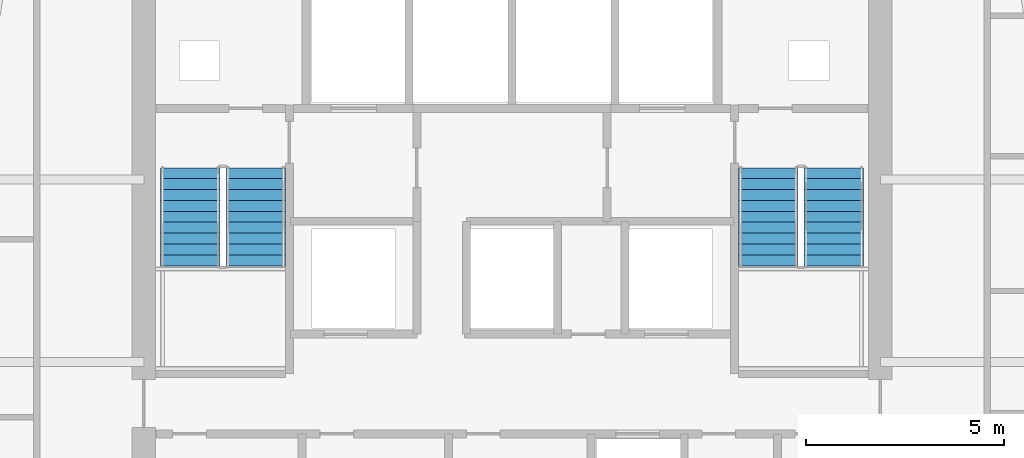
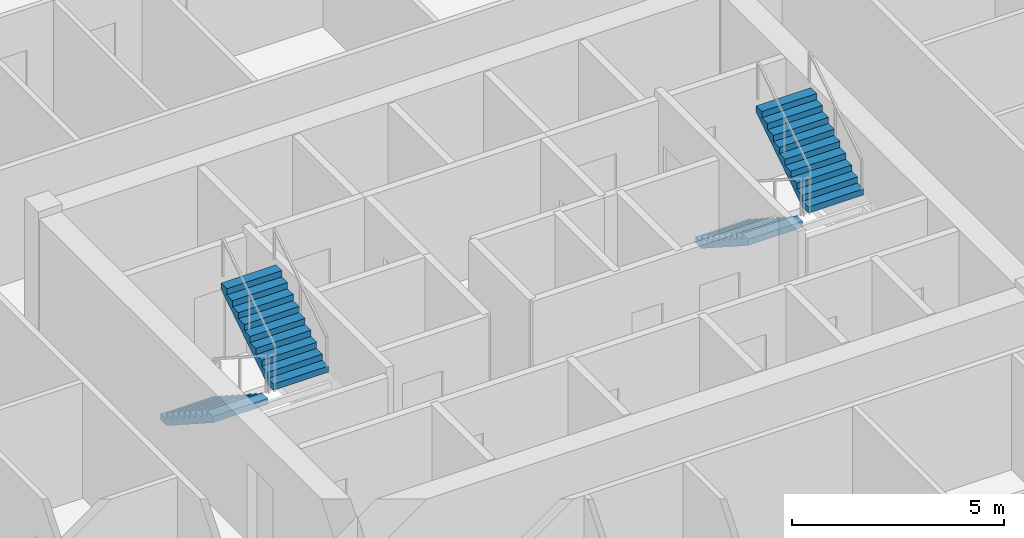
# One storey, part 8 of 10: 4 stair flights, 2 elements without a shape of their own.
"""IFC4 building model written with IfcOpenShell, lengths in metres."""

import ifcopenshell
import ifcopenshell.guid

model = None  # the IFC model being written
_history = None  # IfcOwnerHistory: only IFC2X3 demands one
_inside = {}  # id of a spatial element -> (the spatial element, [elements in it])
_under = {}  # id of a project, library or spatial element -> (it, [spatial elements below it])
_declared = {}  # id of a project -> (the project, [libraries it declares])
_typed = {}  # id of a type object -> (the type object, [elements of that type])
_made_of = {}  # id of a material, layer set ... -> (it, [elements and type objects made of it])


def new_model(schema):
    """Start an empty IFC model of exactly this schema.

    Asked for "IFC4X3", IfcOpenShell would pick the latest addendum, in which some entities
    have other attributes; the version numbers below select the first issue.
    IFC2X3 requires an IfcOwnerHistory on every rooted entity: one is made here for all.
    """
    global model, _history
    if schema == "IFC4X3":
        model = ifcopenshell.file(schema_version=(4, 3, 0, 0))
    else:
        model = ifcopenshell.file(schema=schema)
    _inside.clear()
    _under.clear()
    _declared.clear()
    _typed.clear()
    _made_of.clear()
    _history = None
    if model.schema == "IFC2X3":
        org = make("IfcOrganization", Name="unknown")
        user = make(
            "IfcPersonAndOrganization",
            ThePerson=make("IfcPerson", FamilyName="unknown"),
            TheOrganization=org,
        )
        app = make(
            "IfcApplication",
            ApplicationDeveloper=org,
            Version="unknown",
            ApplicationFullName="unknown",
            ApplicationIdentifier="unknown",
        )
        _history = make(
            "IfcOwnerHistory",
            OwningUser=user,
            OwningApplication=app,
            ChangeAction="ADDED",
            CreationDate=0,
        )
    return model


def make(cls, **values):
    """One entity of the class cls with the attributes given. An attribute that is None is left unset."""
    return model.create_entity(
        cls, **{name: value for name, value in values.items() if value is not None}
    )


def rooted(cls, **values):
    """An entity with a GlobalId (a new one), such as an element, a storey or a relation."""
    return make(cls, GlobalId=ifcopenshell.guid.new(), OwnerHistory=_history, **values)


def si_unit(unit_type, name, prefix=None):
    """IfcSIUnit, for example si_unit("LENGTHUNIT", "METRE", prefix="MILLI")."""
    return make("IfcSIUnit", UnitType=unit_type, Prefix=prefix, Name=name)


def assignment(units):
    """IfcUnitAssignment: the units of a project."""
    return None if units is None else make("IfcUnitAssignment", Units=units)


def point(xyz):
    """IfcCartesianPoint."""
    return None if xyz is None else make("IfcCartesianPoint", Coordinates=xyz)


def direction(xyz):
    """IfcDirection."""
    return None if xyz is None else make("IfcDirection", DirectionRatios=xyz)


def frame(location, z_axis=None, x_axis=None):
    """IfcAxis2Placement3D, a coordinate frame: its origin and axes. An axis left out is left unset."""
    return make(
        "IfcAxis2Placement3D",
        Location=point(location),
        Axis=direction(z_axis),
        RefDirection=direction(x_axis),
    )


def origin():
    """The frame at (0, 0, 0) with its axes left unset."""
    return frame((0.0, 0.0, 0.0))


def place(relative_to, where):
    """IfcLocalPlacement: puts the frame where relative to a parent placement (None: the world)."""
    return make(
        "IfcLocalPlacement", PlacementRelTo=relative_to, RelativePlacement=where
    )


def context(
    kind, dimensions, precision=None, world=None, true_north=None, identifier=None
):
    """IfcGeometricRepresentationContext, for example the 3D "Model" context."""
    return make(
        "IfcGeometricRepresentationContext",
        ContextIdentifier=identifier,
        ContextType=kind,
        CoordinateSpaceDimension=dimensions,
        Precision=precision,
        WorldCoordinateSystem=world,
        TrueNorth=true_north,
    )


def subcontext(parent, identifier, kind, view, scale=None):
    """IfcGeometricRepresentationSubContext, for example "Body" below "Model"."""
    return make(
        "IfcGeometricRepresentationSubContext",
        ContextIdentifier=identifier,
        ContextType=kind,
        ParentContext=parent,
        TargetScale=scale,
        TargetView=view,
    )


def project(units=None, contexts=None):
    """IfcProject with its units and contexts."""
    return rooted(
        "IfcProject",
        Name="project",
        RepresentationContexts=contexts,
        UnitsInContext=assignment(units),
    )


def spatial(cls, under=None, at=None, **own):
    """A site, building, storey or space (cls), placed at a placement, below another one or the project."""
    s = rooted(cls, ObjectPlacement=at, **own)
    if under is not None:
        _under.setdefault(under.id(), (under, []))[1].append(s)
    return s


def polyline(points):
    """IfcPolyline through the points."""
    return make("IfcPolyline", Points=[point(p) for p in points])


def outline(outer, holes=None, kind="AREA"):
    """IfcArbitraryClosedProfileDef: a profile drawn as a closed curve; with holes, ...WithVoids."""
    if holes is None:
        return make("IfcArbitraryClosedProfileDef", ProfileType=kind, OuterCurve=outer)
    return make(
        "IfcArbitraryProfileDefWithVoids",
        ProfileType=kind,
        OuterCurve=outer,
        InnerCurves=holes,
    )


def extrude(swept, where, along, depth):
    """IfcExtrudedAreaSolid: the profile swept, set in the frame where, extruded along a direction by depth."""
    return make(
        "IfcExtrudedAreaSolid",
        SweptArea=swept,
        Position=where,
        ExtrudedDirection=direction(along),
        Depth=depth,
    )


def shape(context_of_items, identifier, shape_type, items):
    """IfcShapeRepresentation: the items that make up one representation, for example the "Body"."""
    return make(
        "IfcShapeRepresentation",
        ContextOfItems=context_of_items,
        RepresentationIdentifier=identifier,
        RepresentationType=shape_type,
        Items=items,
    )


def material(Name=None, Category=None):
    """IfcMaterial."""
    return make("IfcMaterial", Name=Name, Category=Category)


def made_of(thing, what):
    """Note that an element or type object is made of a material, layer set ...; save() writes the relation."""
    if what is not None:
        _made_of.setdefault(what.id(), (what, []))[1].append(thing)
    return thing


def type_object(cls, material=None, **own):
    """A type object (cls), such as IfcWallType, which elements share."""
    return made_of(rooted(cls, **own), material)


def element(
    cls,
    number,
    at=None,
    inside=None,
    cuts=None,
    type_object=None,
    material=None,
    context=None,
    identifier="Body",
    shape_type=None,
    held_by="IfcProductDefinitionShape",
    body=None,
    shapes=None,
    **own,
):
    """One element of the class cls, such as IfcWall. Its Tag is "e" and its number.

    at: its placement. inside: the storey or other place that contains it. cuts: it is an
    opening in that element (IfcRelVoidsElement). A single representation is given by context,
    identifier, shape_type and body (its items); several are given by shapes. held_by: the class
    of the entity that holds the representations. save() writes the other relations.
    """
    e = rooted(cls, Tag="e%d" % number, ObjectPlacement=at, **own)
    if body is not None:
        shapes = [shape(context, identifier, shape_type, body)]
    if shapes is not None:
        e.Representation = make(held_by, Representations=shapes)
    if inside is not None:
        _inside.setdefault(inside.id(), (inside, []))[1].append(e)
    if cuts is not None:
        rooted(
            "IfcRelVoidsElement", RelatingBuildingElement=cuts, RelatedOpeningElement=e
        )
    if type_object is not None:
        _typed.setdefault(type_object.id(), (type_object, []))[1].append(e)
    return made_of(e, material)


def aggregate(whole, parts):
    """IfcRelAggregates: a whole, such as a stair, and the parts it consists of."""
    return rooted("IfcRelAggregates", RelatingObject=whole, RelatedObjects=parts)


def save(model, path):
    """Write the relations noted so far, then the file.

    IfcRelAggregates (storeys below a building ...), IfcRelContainedInSpatialStructure (elements
    in a storey), IfcRelDefinesByType, IfcRelAssociatesMaterial and IfcRelDeclares: one each for
    every whole, place, type object, material and project.
    """
    for whole, parts in _under.values():
        aggregate(whole, parts)
    for where, things in _inside.values():
        rooted(
            "IfcRelContainedInSpatialStructure",
            RelatedElements=things,
            RelatingStructure=where,
        )
    for kind, things in _typed.values():
        rooted("IfcRelDefinesByType", RelatedObjects=things, RelatingType=kind)
    for what, things in _made_of.values():
        rooted("IfcRelAssociatesMaterial", RelatedObjects=things, RelatingMaterial=what)
    for by, libraries in _declared.values():
        rooted("IfcRelDeclares", RelatingContext=by, RelatedDefinitions=libraries)
    model.write(path)


model = new_model("IFC4")

# Units and contexts
model_context = context("Model", 3, precision=1e-05, world=origin(), true_north=direction((0.0, 1.0)))
body_context = subcontext(model_context, "Body", "Model", "MODEL_VIEW")
ifc_project = project(units=[si_unit("LENGTHUNIT", "METRE"), si_unit("AREAUNIT", "SQUARE_METRE"), si_unit("VOLUMEUNIT", "CUBIC_METRE"), si_unit("PLANEANGLEUNIT", "RADIAN"), si_unit("MASSUNIT", "GRAM", prefix="KILO")], contexts=[model_context])

# Site, building, storey
site_placement = place(None, origin())
site = spatial("IfcSite", under=ifc_project, at=site_placement, CompositionType="ELEMENT")
building_placement = place(site_placement, origin())
building = spatial("IfcBuilding", under=site, at=building_placement, Name="Cinnabar Lancet Tower", CompositionType="ELEMENT")
storey_placement = place(building_placement, frame((0.0, 0.0, 164.14990234375)))
storey = spatial("IfcBuildingStorey", under=building, at=storey_placement, Name="L43", CompositionType="ELEMENT", Elevation=164.14990234375)

# Stair, stair flights
ifc_material_1 = material(Name="Concrete C40/50", Category="concrete")
stair_type = type_object("IfcStairType", Name="ST-CORE", PredefinedType="HALF_TURN_STAIR", material=ifc_material_1)
stair_1_placement = place(storey_placement, origin())
stair_1 = element("IfcStair", 1, at=stair_1_placement, inside=storey, type_object=stair_type, Name="L43 ST-1", PredefinedType="HALF_TURN_STAIR")
ifc_material_2 = material(Name="Concrete C40/50", Category="concrete")
stair_flight_type = type_object("IfcStairFlightType", Name="FLIGHT-CORE", PredefinedType="STRAIGHT", material=ifc_material_2)
stair_flight_1_placement = place(storey_placement, frame((24.27490234375, 28.39990234375, 0.0), z_axis=(0.0, 0.0, 1.0), x_axis=(0.0, -1.0, 0.0)))
stair_flight_1 = element("IfcStairFlight", 2, at=stair_flight_1_placement, type_object=stair_flight_type, Name="ST-1 flight 1", NumberOfRisers=10, NumberOfTreads=9, PredefinedType="STRAIGHT", RiserHeight=0.1775, TreadLength=0.275, context=body_context, shape_type="SweptSolid", body=[
    extrude(outline(polyline([(0.0, 0.0), (0.0, 0.177490234375), (0.27490234375, 0.177490234375), (0.27490234375, 0.35498046875), (0.550048828125, 0.35498046875), (0.550048828125, 0.532470703125), (0.824951171875, 0.532470703125), (0.824951171875, 0.7099609375), (1.10009765625, 0.7099609375), (1.10009765625, 0.887451171875), (1.375, 0.887451171875), (1.375, 1.06494140625), (1.64990234375, 1.06494140625), (1.64990234375, 1.242431640625), (1.925048828125, 1.242431640625), (1.925048828125, 1.419921875), (2.199951171875, 1.419921875), (2.199951171875, 1.597412109375), (2.47509765625, 1.597412109375), (2.47509765625, 1.77490234375), (2.47509765625, 1.419189453125), (0.2763671875, 0.0), (0.0, 0.0)])), frame((0.0, 0.75, 0.0), z_axis=(0.0, -1.0, 0.0), x_axis=(1.0, 0.0, 0.0)), (0.0, 0.0, 1.0), 1.5),
])
stair_flight_2_placement = place(storey_placement, frame((25.925048828125, 25.925048828125, 1.775146484375), z_axis=(0.0, 0.0, 1.0), x_axis=(0.0, 1.0, 0.0)))
stair_flight_2 = element("IfcStairFlight", 3, at=stair_flight_2_placement, type_object=stair_flight_type, Name="ST-1 flight 2", NumberOfRisers=10, NumberOfTreads=9, PredefinedType="STRAIGHT", RiserHeight=0.1775, TreadLength=0.275, context=body_context, shape_type="SweptSolid", body=[
    extrude(outline(polyline([(0.0, 0.0), (0.0, 0.177490234375), (0.27490234375, 0.177490234375), (0.27490234375, 0.35498046875), (0.550048828125, 0.35498046875), (0.550048828125, 0.532470703125), (0.824951171875, 0.532470703125), (0.824951171875, 0.7099609375), (1.10009765625, 0.7099609375), (1.10009765625, 0.887451171875), (1.375, 0.887451171875), (1.375, 1.06494140625), (1.64990234375, 1.06494140625), (1.64990234375, 1.242431640625), (1.925048828125, 1.242431640625), (1.925048828125, 1.419921875), (2.199951171875, 1.419921875), (2.199951171875, 1.597412109375), (2.47509765625, 1.597412109375), (2.47509765625, 1.77490234375), (2.47509765625, 1.419189453125), (0.2763671875, 0.0), (0.0, 0.0)])), frame((0.0, 0.75, 0.0), z_axis=(0.0, -1.0, 0.0), x_axis=(1.0, 0.0, 0.0)), (0.0, 0.0, 1.0), 1.5),
])
aggregate(stair_1, [stair_flight_1, stair_flight_2])

stair_2_placement = place(storey_placement, origin())
stair_2 = element("IfcStair", 4, at=stair_2_placement, inside=storey, type_object=stair_type, Name="L43 ST-2", PredefinedType="HALF_TURN_STAIR")
stair_flight_3_placement = place(storey_placement, frame((38.875, 28.39990234375, 0.0), z_axis=(0.0, 0.0, 1.0), x_axis=(0.0, -1.0, 0.0)))
stair_flight_3 = element("IfcStairFlight", 5, at=stair_flight_3_placement, type_object=stair_flight_type, Name="ST-2 flight 1", NumberOfRisers=10, NumberOfTreads=9, PredefinedType="STRAIGHT", RiserHeight=0.1775, TreadLength=0.275, context=body_context, shape_type="SweptSolid", body=[
    extrude(outline(polyline([(0.0, 0.0), (0.0, 0.177490234375), (0.27490234375, 0.177490234375), (0.27490234375, 0.35498046875), (0.550048828125, 0.35498046875), (0.550048828125, 0.532470703125), (0.824951171875, 0.532470703125), (0.824951171875, 0.7099609375), (1.10009765625, 0.7099609375), (1.10009765625, 0.887451171875), (1.375, 0.887451171875), (1.375, 1.06494140625), (1.64990234375, 1.06494140625), (1.64990234375, 1.242431640625), (1.925048828125, 1.242431640625), (1.925048828125, 1.419921875), (2.199951171875, 1.419921875), (2.199951171875, 1.597412109375), (2.47509765625, 1.597412109375), (2.47509765625, 1.77490234375), (2.47509765625, 1.419189453125), (0.2763671875, 0.0), (0.0, 0.0)])), frame((0.0, 0.75, 0.0), z_axis=(0.0, -1.0, 0.0), x_axis=(1.0, 0.0, 0.0)), (0.0, 0.0, 1.0), 1.5),
])
stair_flight_4_placement = place(storey_placement, frame((40.52490234375, 25.925048828125, 1.775146484375), z_axis=(0.0, 0.0, 1.0), x_axis=(0.0, 1.0, 0.0)))
stair_flight_4 = element("IfcStairFlight", 6, at=stair_flight_4_placement, type_object=stair_flight_type, Name="ST-2 flight 2", NumberOfRisers=10, NumberOfTreads=9, PredefinedType="STRAIGHT", RiserHeight=0.1775, TreadLength=0.275, context=body_context, shape_type="SweptSolid", body=[
    extrude(outline(polyline([(0.0, 0.0), (0.0, 0.177490234375), (0.27490234375, 0.177490234375), (0.27490234375, 0.35498046875), (0.550048828125, 0.35498046875), (0.550048828125, 0.532470703125), (0.824951171875, 0.532470703125), (0.824951171875, 0.7099609375), (1.10009765625, 0.7099609375), (1.10009765625, 0.887451171875), (1.375, 0.887451171875), (1.375, 1.06494140625), (1.64990234375, 1.06494140625), (1.64990234375, 1.242431640625), (1.925048828125, 1.242431640625), (1.925048828125, 1.419921875), (2.199951171875, 1.419921875), (2.199951171875, 1.597412109375), (2.47509765625, 1.597412109375), (2.47509765625, 1.77490234375), (2.47509765625, 1.419189453125), (0.2763671875, 0.0), (0.0, 0.0)])), frame((0.0, 0.75, 0.0), z_axis=(0.0, -1.0, 0.0), x_axis=(1.0, 0.0, 0.0)), (0.0, 0.0, 1.0), 1.5),
])
aggregate(stair_2, [stair_flight_3, stair_flight_4])

save(model, "model.ifc")
